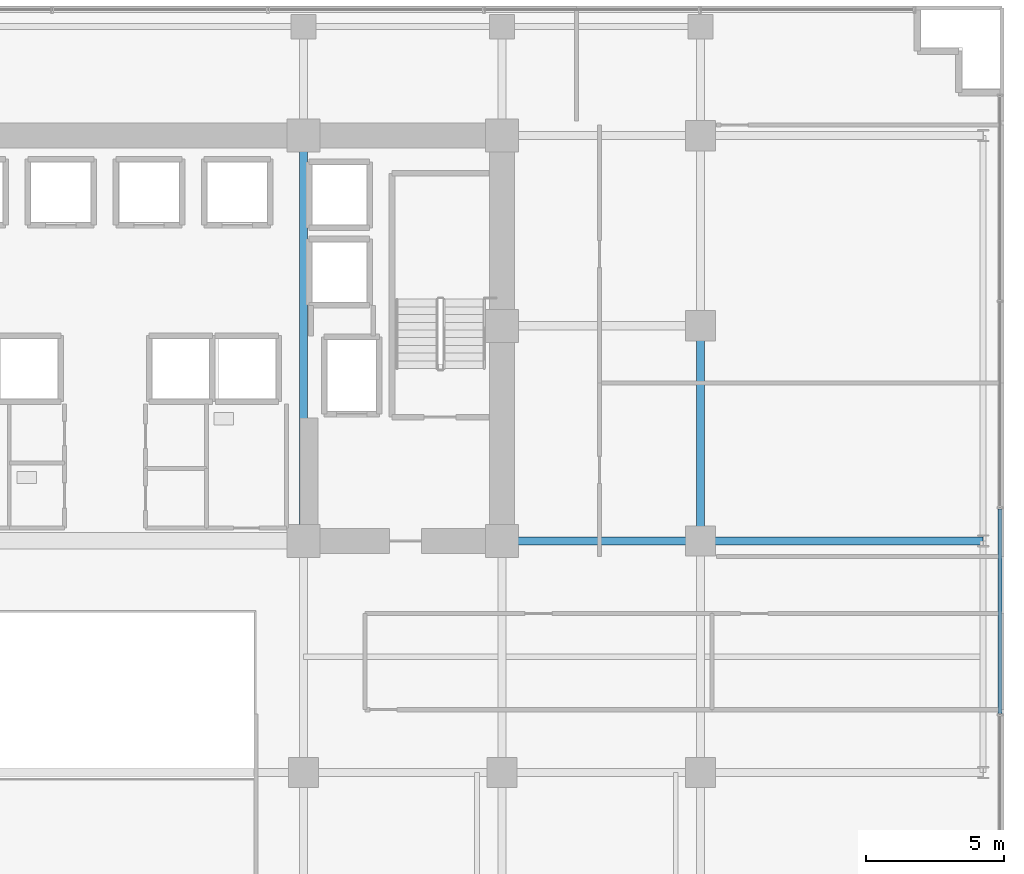
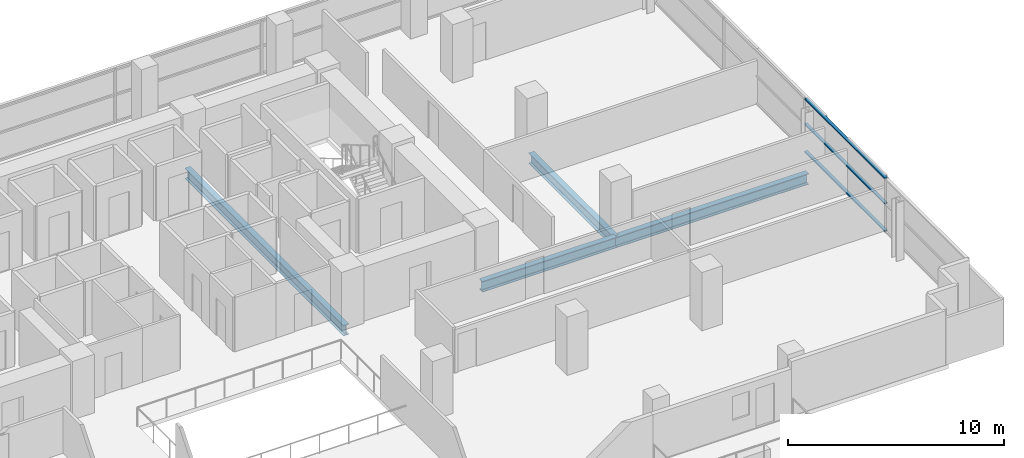
# One storey, part 14 of 31: 4 beams, 3 members, 1 element without a shape of its own.
"""IFC4 building model written with IfcOpenShell, lengths in metres."""

from ifc_helpers import new_model, si_unit, direction, frame, origin, origin_2d, place, context, subcontext, project, spatial, hollow_rectangle, i_section, extrude, source, transform, mapped, material, layer, layer_set, material_profile, profile_set, type_object, element, aggregate, save


model = new_model("IFC4")

# Units and contexts
model_context = context("Model", 3, precision=1e-05, world=origin(), true_north=direction((0.0, 1.0)))
body_context = subcontext(model_context, "Body", "Model", "MODEL_VIEW")
ifc_project = project(units=[si_unit("LENGTHUNIT", "METRE"), si_unit("AREAUNIT", "SQUARE_METRE"), si_unit("VOLUMEUNIT", "CUBIC_METRE"), si_unit("PLANEANGLEUNIT", "RADIAN"), si_unit("MASSUNIT", "GRAM", prefix="KILO")], contexts=[model_context])

# Site, building, storey
site_placement = place(None, origin())
site = spatial("IfcSite", under=ifc_project, at=site_placement, CompositionType="ELEMENT")
building_placement = place(site_placement, origin())
building = spatial("IfcBuilding", under=site, at=building_placement, Name="Zarnakvel Exchange Tower", CompositionType="ELEMENT")
storey_placement = place(building_placement, frame((0.0, 0.0, 67.0)))
storey = spatial("IfcBuildingStorey", under=building, at=storey_placement, Name="L18", CompositionType="ELEMENT", Elevation=67.0)

# Beams
ifc_material_1 = material(Name="Steel S355", Category="steel")
ifc_material_profile_1 = material_profile(ifc_material_1, i_section(OverallWidth=0.300048828125, OverallDepth=0.60009765625, WebThickness=0.015380859375, FlangeThickness=0.030029296875, FilletRadius=0.027099609375, at=origin_2d()))
ifc_profile_set_1 = profile_set([ifc_material_profile_1], Name="Steel S355")
beam_type = type_object("IfcBeamType", Name="G-04", PredefinedType="BEAM", material=ifc_profile_set_1)
beam_1_placement = place(storey_placement, frame((14.39990234375, -1.199951171875, -0.52490234375), z_axis=(1.0, 0.0, 0.0), x_axis=(0.0, 1.0, 0.0)))
element("IfcBeam", 1, at=beam_1_placement, inside=storey, type_object=beam_type, Name="L18 Tower E-W Frame Beam", PredefinedType="BEAM", context=body_context, shape_type="SweptSolid", body=[
    extrude(i_section(OverallWidth=0.300048828125, OverallDepth=0.60009765625, WebThickness=0.015380859375, FlangeThickness=0.030029296875, FilletRadius=0.027099609375, at=origin_2d()), origin(), (0.0, 0.0, 1.0), 7.2001953125),
])
beam_2_placement = place(storey_placement, frame((21.60009765625, -1.199951171875, -0.52490234375), z_axis=(1.0, 0.0, 0.0), x_axis=(0.0, 1.0, 0.0)))
element("IfcBeam", 2, at=beam_2_placement, inside=storey, type_object=beam_type, Name="L18 Tower E-W Frame Beam", PredefinedType="BEAM", context=body_context, shape_type="SweptSolid", body=[
    extrude(i_section(OverallWidth=0.300048828125, OverallDepth=0.60009765625, WebThickness=0.015380859375, FlangeThickness=0.030029296875, FilletRadius=0.027099609375, at=origin_2d()), origin(), (0.0, 0.0, 1.0), 10.25),
])
beam_3_placement = place(storey_placement, frame((7.199951171875, -1.199951171875, -0.52490234375), z_axis=(0.0, 1.0, 0.0), x_axis=(-1.0, 0.0, 0.0)))
element("IfcBeam", 3, at=beam_3_placement, inside=storey, type_object=beam_type, Name="L18 Tower N-S Frame Beam", PredefinedType="BEAM", context=body_context, shape_type="SweptSolid", body=[
    extrude(i_section(OverallWidth=0.300048828125, OverallDepth=0.60009765625, WebThickness=0.015380859375, FlangeThickness=0.030029296875, FilletRadius=0.027099609375, at=origin_2d()), origin(), (0.0, 0.0, 1.0), 14.699951171875),
])
beam_4_placement = place(storey_placement, frame((21.60009765625, -1.199951171875, -0.52490234375), z_axis=(0.0, 1.0, 0.0), x_axis=(-1.0, 0.0, 0.0)))
element("IfcBeam", 4, at=beam_4_placement, inside=storey, type_object=beam_type, Name="L18 Tower N-S Frame Beam", PredefinedType="BEAM", context=body_context, shape_type="SweptSolid", body=[
    extrude(i_section(OverallWidth=0.300048828125, OverallDepth=0.60009765625, WebThickness=0.015380859375, FlangeThickness=0.030029296875, FilletRadius=0.027099609375, at=origin_2d()), origin(), (0.0, 0.0, 1.0), 7.800048828125),
])

# Curtain wall, members
ifc_material_2 = material(Name="Architectural Bronze Anodised Aluminium", Category="aluminium")
ifc_layer = layer(ifc_material_2, 0.199951171875)
ifc_layer_set = layer_set([ifc_layer], Name="Architectural Bronze Anodised Aluminium")
curtain_wall_type = type_object("IfcCurtainWallType", Name="CW-04", PredefinedType="NOTDEFINED", material=ifc_layer_set)
curtain_wall_placement = place(storey_placement, origin())
curtain_wall = element("IfcCurtainWall", 5, at=curtain_wall_placement, inside=storey, type_object=curtain_wall_type, Name="L18 Curtain Wall CW-L18-E1 (CW-04)", PredefinedType="NOTDEFINED")
ifc_material_profile_2 = material_profile(ifc_material_2, hollow_rectangle(XDim=0.159912109375, YDim=0.074951171875, WallThickness=0.00390625, at=origin_2d()))
ifc_profile_set_2 = profile_set([ifc_material_profile_2], Name="Architectural Bronze Anodised Aluminium")
member_type = type_object("IfcMemberType", Name="CWT-04", PredefinedType="USERDEFINED", material=ifc_profile_set_2)
shared_shape = source(origin(), body_context, "Body", "SweptSolid", [
    extrude(hollow_rectangle(XDim=0.159912109375, YDim=0.074951171875, WallThickness=0.00390625, at=origin_2d()), origin(), (0.0, 0.0, 1.0), 7.4248046875),
])
member_1_placement = place(storey_placement, frame((32.4599609375, -7.46240234375, 0.03759765625), z_axis=(0.0, 1.0, 0.0), x_axis=(-1.0, 0.0, 0.0)))
member_1 = element("IfcMember", 6, at=member_1_placement, type_object=member_type, Name="CW-04 transom 2.1", ObjectType="TRANSOM", PredefinedType="USERDEFINED", context=body_context, shape_type="MappedRepresentation", body=[
    mapped(shared_shape, transform((0.0, 0.0, 0.0), x_axis=(1.0, 0.0, 0.0), y_axis=(0.0, 1.0, 0.0), z_axis=(0.0, 0.0, 1.0), scale=1.0)),
])
member_2_placement = place(storey_placement, frame((32.4599609375, -7.46240234375, 1.588623046875), z_axis=(0.0, 1.0, 0.0), x_axis=(-1.0, 0.0, 0.0)))
member_2 = element("IfcMember", 7, at=member_2_placement, type_object=member_type, Name="CW-04 transom 2.2", ObjectType="TRANSOM", PredefinedType="USERDEFINED", context=body_context, shape_type="MappedRepresentation", body=[
    mapped(shared_shape, transform((0.0, 0.0, 0.0), x_axis=(1.0, 0.0, 0.0), y_axis=(0.0, 1.0, 0.0), z_axis=(0.0, 0.0, 1.0), scale=1.0)),
])
member_3_placement = place(storey_placement, frame((32.4599609375, -7.46240234375, 3.017578125), z_axis=(0.0, 1.0, 0.0), x_axis=(-1.0, 0.0, 0.0)))
member_3 = element("IfcMember", 8, at=member_3_placement, type_object=member_type, Name="CW-04 transom 2.3", ObjectType="TRANSOM", PredefinedType="USERDEFINED", context=body_context, shape_type="MappedRepresentation", body=[
    mapped(shared_shape, transform((0.0, 0.0, 0.0), x_axis=(1.0, 0.0, 0.0), y_axis=(0.0, 1.0, 0.0), z_axis=(0.0, 0.0, 1.0), scale=1.0)),
])
aggregate(curtain_wall, [member_1, member_2, member_3])

save(model, "model.ifc")
